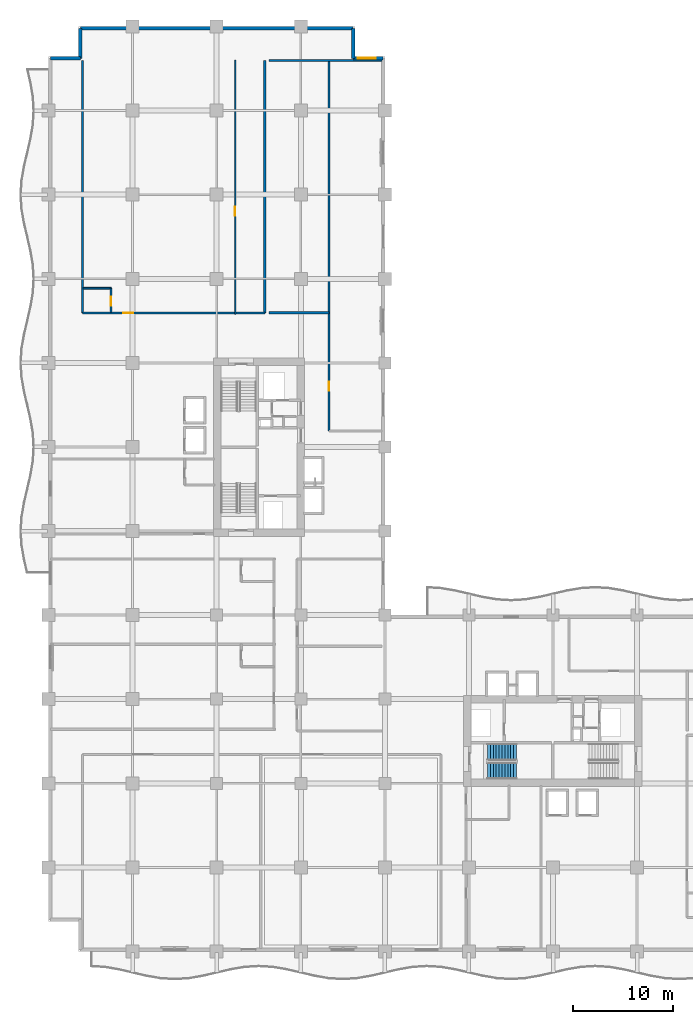
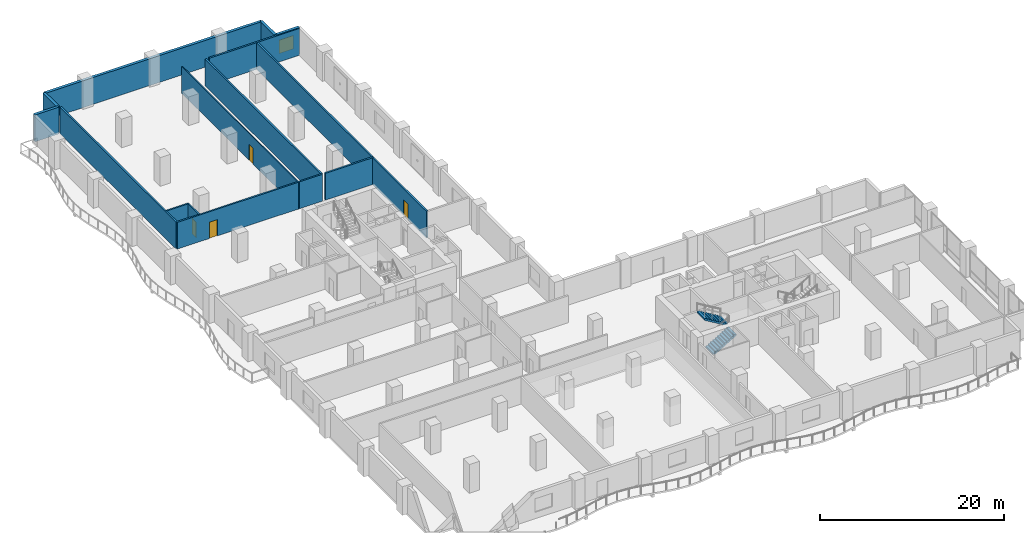
# One storey, part 16 of 23: 14 walls, 4 doors, 2 stair flights, 1 window, 5 openings, 1 element without a shape of its own.
"""IFC4 building model written with IfcOpenShell, lengths in metres."""

from ifc_helpers import new_model, si_unit, direction, frame, frame_2d, origin, place, context, subcontext, project, spatial, polyline, rectangle, outline, extrude, material, layer, layer_set, type_object, element, fill, aggregate, save


model = new_model("IFC4")

# Units and contexts
model_context = context("Model", 3, precision=1e-05, world=origin(), true_north=direction((0.0, 1.0)))
body_context = subcontext(model_context, "Body", "Model", "MODEL_VIEW")
ifc_project = project(units=[si_unit("LENGTHUNIT", "METRE"), si_unit("AREAUNIT", "SQUARE_METRE"), si_unit("VOLUMEUNIT", "CUBIC_METRE"), si_unit("PLANEANGLEUNIT", "RADIAN"), si_unit("MASSUNIT", "GRAM", prefix="KILO")], contexts=[model_context])

# Site, building, storey
site_placement = place(None, origin())
site = spatial("IfcSite", under=ifc_project, at=site_placement, CompositionType="ELEMENT")
building_placement = place(site_placement, origin())
building = spatial("IfcBuilding", under=site, at=building_placement, Name="Koriwani Terraces Tower", CompositionType="ELEMENT")
storey_placement = place(building_placement, frame((0.0, 0.0, 134.199951171875)))
storey = spatial("IfcBuildingStorey", under=building, at=storey_placement, Name="L32", CompositionType="ELEMENT", Elevation=134.199951171875)

# Wall, opening, door
ifc_material_1 = material(Name="Autoclaved Cellular Concrete Blockwork", Category="masonry")
ifc_layer_1 = layer(ifc_material_1, 0.199951171875, Name="Autoclaved Cellular Concrete Blockwork")
ifc_layer_set_1 = layer_set([ifc_layer_1], Name="Autoclaved Cellular Concrete Blockwork")
wall_type_1 = type_object("IfcWallType", Name="WALL_CORRIDOR_200", PredefinedType="PARTITIONING", material=ifc_layer_set_1)
wall_1_placement = place(storey_placement, frame((3.39990234375, 63.800048828125, 0.0), z_axis=(0.0, 0.0, 1.0), x_axis=(1.0, 0.0, 0.0)))
wall_1 = element("IfcWall", 1, at=wall_1_placement, inside=storey, type_object=wall_type_1, Name="L32 Interior Wall WGB-L32-NWTIP-S", PredefinedType="PARTITIONING", context=body_context, shape_type="SweptSolid", body=[
    extrude(rectangle(XDim=18.2001953125, YDim=0.199951171875, at=frame_2d((9.10009765625, 0.0))), origin(), (0.0, 0.0, 1.0), 3.550048828125),
])
opening_1_placement = place(wall_1_placement, frame((4.050048828125, 0.0, 0.0)))
opening_1 = element("IfcOpeningElement", 2, at=opening_1_placement, cuts=wall_1, Name="Opening D-05", PredefinedType="OPENING", context=body_context, shape_type="SweptSolid", body=[
    extrude(rectangle(XDim=1.0, YDim=2.14990234375, at=frame_2d((0.5, 1.074951171875))), frame((0.0, 0.10986328125, 0.0), z_axis=(0.0, -1.0, 0.0), x_axis=(1.0, 0.0, 0.0)), (0.0, 0.0, 1.0), 0.219970703125),
])
ifc_material_2 = material(Name="Architectural Oak Fire Door", Category="wood")
door_type_1 = type_object("IfcDoorType", Name="DOOR_SUITE_ENTRY_1000X2150", OperationType="NOTDEFINED", PredefinedType="DOOR", material=ifc_material_2)
door_1_placement = place(opening_1_placement, origin())
door_1 = element("IfcDoor", 3, at=door_1_placement, inside=storey, type_object=door_type_1, Name="Presidential Suite 32NT Entrance Door", OperationType="SINGLE_SWING_RIGHT", OverallHeight=2.14990234375, OverallWidth=1.0, PredefinedType="DOOR", context=body_context, shape_type="SweptSolid", body=[
    extrude(rectangle(XDim=1.0, YDim=2.14990234375, at=frame_2d((0.5, 1.074951171875))), frame((0.0, 0.02490234375, 0.0), z_axis=(0.0, -1.0, 0.0), x_axis=(1.0, 0.0, 0.0)), (0.0, 0.0, 1.0), 0.050048828125),
])
fill(opening_1, door_1)

wall_2_placement = place(storey_placement, frame((28.0, 52.0, 0.0), z_axis=(0.0, 0.0, 1.0), x_axis=(0.0, 1.0, 0.0)))
wall_2 = element("IfcWall", 4, at=wall_2_placement, inside=storey, type_object=wall_type_1, Name="L32 Interior Wall WNWT2-W-L32", PredefinedType="PARTITIONING", context=body_context, shape_type="SweptSolid", body=[
    extrude(rectangle(XDim=37.0, YDim=0.199951171875, at=frame_2d((18.5, 0.0))), origin(), (0.0, 0.0, 1.0), 3.550048828125),
])
opening_2_placement = place(wall_2_placement, frame((4.0, 0.0, 0.0)))
opening_2 = element("IfcOpeningElement", 5, at=opening_2_placement, cuts=wall_2, Name="Opening D-06", PredefinedType="OPENING", context=body_context, shape_type="SweptSolid", body=[
    extrude(rectangle(XDim=0.919921875, YDim=2.10009765625, at=frame_2d((0.4599609375, 1.050048828125))), frame((0.0, 0.10986328125, 0.0), z_axis=(0.0, -1.0, 0.0), x_axis=(1.0, 0.0, 0.0)), (0.0, 0.0, 1.0), 0.219970703125),
])
door_type_2 = type_object("IfcDoorType", Name="DOOR_ROOM_INT_920X2100", OperationType="NOTDEFINED", PredefinedType="DOOR", material=ifc_material_2)
door_2_placement = place(opening_2_placement, origin())
door_2 = element("IfcDoor", 6, at=door_2_placement, inside=storey, type_object=door_type_2, Name="L32 North Court Lounge Door", OperationType="SINGLE_SWING_LEFT", OverallHeight=2.10009765625, OverallWidth=0.919921875, PredefinedType="DOOR", context=body_context, shape_type="SweptSolid", body=[
    extrude(rectangle(XDim=0.919921875, YDim=2.10009765625, at=frame_2d((0.4599609375, 1.050048828125))), frame((0.0, 0.02490234375, 0.0), z_axis=(0.0, -1.0, 0.0), x_axis=(1.0, 0.0, 0.0)), (0.0, 0.0, 1.0), 0.050048828125),
])
fill(opening_2, door_2)

# Walls
ifc_layer_2 = layer(ifc_material_1, 0.219970703125, Name="Autoclaved Cellular Concrete Blockwork")
ifc_layer_set_2 = layer_set([ifc_layer_2], Name="Autoclaved Cellular Concrete Blockwork")
wall_type_2 = type_object("IfcWallType", Name="WALL_DEMISING_220", PredefinedType="PARTITIONING", material=ifc_layer_set_2)
for number, where, z_axis, x_axis, name in (
    (7, (21.60009765625, 63.800048828125, 0.0), (0.0, 0.0, 1.0), (0.0, 1.0, 0.0), "L32 Interior Wall WGB-L32-NWTIP-E"),
    (8, (3.39990234375, 63.800048828125, 0.0), (0.0, 0.0, 1.0), (0.0, 1.0, 0.0), "L32 Interior Wall WGB-L32-NWTIP-W"),
):
    element("IfcWall", number, at=place(storey_placement, frame(where, z_axis=z_axis, x_axis=x_axis)), inside=storey, type_object=wall_type_2, Name=name, PredefinedType="PARTITIONING", context=body_context, shape_type="SweptSolid", body=[
        extrude(rectangle(XDim=25.199951171875, YDim=0.219970703125, at=frame_2d((12.60009765625, 0.0))), origin(), (0.0, 0.0, 1.0), 3.550048828125),
    ])
wall_3_placement = place(storey_placement, frame((22.0, 89.0, 0.0), z_axis=(0.0, 0.0, 1.0), x_axis=(1.0, 0.0, 0.0)))
element("IfcWall", 9, at=wall_3_placement, inside=storey, type_object=wall_type_2, Name="L32 Interior Wall WNWT2-N-L32", PredefinedType="PARTITIONING", context=body_context, shape_type="SweptSolid", body=[
    extrude(rectangle(XDim=11.300048828125, YDim=0.219970703125, at=frame_2d((5.64990234375, 0.0))), origin(), (0.0, 0.0, 1.0), 3.550048828125),
])
wall_4_placement = place(storey_placement, frame((22.0, 63.800048828125, 0.0), z_axis=(0.0, 0.0, 1.0), x_axis=(1.0, 0.0, 0.0)))
element("IfcWall", 10, at=wall_4_placement, inside=storey, type_object=wall_type_2, Name="L32 Interior Wall WNWT2-WS-L32", PredefinedType="PARTITIONING", context=body_context, shape_type="SweptSolid", body=[
    extrude(rectangle(XDim=6.0, YDim=0.219970703125, at=frame_2d((3.0, 0.0))), origin(), (0.0, 0.0, 1.0), 3.550048828125),
])
ifc_material_3 = material(Name="Concrete C50/60", Category="concrete")
ifc_layer_3 = layer(ifc_material_3, 0.35009765625, Name="Concrete C50/60")
ifc_layer_set_3 = layer_set([ifc_layer_3], Name="Concrete C50/60")
wall_type_3 = type_object("IfcWallType", Name="WALL_EXT_BRUTALIST_350", PredefinedType="STANDARD", material=ifc_layer_set_3)
for number, where, z_axis, x_axis, name in (
    (11, (0.175048828125, 89.22509765625, 0.0), (0.0, 0.0, 1.0), (1.0, 0.0, 0.0), "L32 Fair-Faced Brutalist Exterior Wall (N3)"),
    (12, (3.175048828125, 89.22509765625, 0.0), (0.0, 0.0, 1.0), (0.0, 1.0, 0.0), "L32 Fair-Faced Brutalist Exterior Wall (N4)"),
):
    element("IfcWall", number, at=place(storey_placement, frame(where, z_axis=z_axis, x_axis=x_axis)), inside=storey, type_object=wall_type_3, Name=name, PredefinedType="STANDARD", context=body_context, shape_type="SweptSolid", body=[
        extrude(rectangle(XDim=3.0, YDim=0.35009765625, at=frame_2d((1.5, 0.0))), origin(), (0.0, 0.0, 1.0), 3.550048828125),
    ])
wall_5_placement = place(storey_placement, frame((3.175048828125, 92.22509765625, 0.0), z_axis=(0.0, 0.0, 1.0), x_axis=(1.0, 0.0, 0.0)))
element("IfcWall", 13, at=wall_5_placement, inside=storey, type_object=wall_type_3, Name="L32 Fair-Faced Brutalist Exterior Wall (N_TIP)", PredefinedType="STANDARD", context=body_context, shape_type="SweptSolid", body=[
    extrude(rectangle(XDim=27.25, YDim=0.35009765625, at=frame_2d((13.625, 0.0))), origin(), (0.0, 0.0, 1.0), 3.550048828125),
])
wall_6_placement = place(storey_placement, frame((30.425048828125, 92.22509765625, 0.0), z_axis=(0.0, 0.0, 1.0), x_axis=(0.0, -1.0, 0.0)))
element("IfcWall", 14, at=wall_6_placement, inside=storey, type_object=wall_type_3, Name="L32 Fair-Faced Brutalist Exterior Wall (N6)", PredefinedType="STANDARD", context=body_context, shape_type="SweptSolid", body=[
    extrude(rectangle(XDim=3.0, YDim=0.35009765625, at=frame_2d((1.5, 0.0))), origin(), (0.0, 0.0, 1.0), 3.550048828125),
])

# Wall, opening, window
wall_7_placement = place(storey_placement, frame((30.425048828125, 89.22509765625, 0.0), z_axis=(0.0, 0.0, 1.0), x_axis=(1.0, 0.0, 0.0)))
wall_7 = element("IfcWall", 15, at=wall_7_placement, inside=storey, type_object=wall_type_3, Name="L32 Fair-Faced Brutalist Exterior Wall (N7)", PredefinedType="STANDARD", context=body_context, shape_type="SweptSolid", body=[
    extrude(rectangle(XDim=3.0, YDim=0.35009765625, at=frame_2d((1.5, 0.0))), origin(), (0.0, 0.0, 1.0), 3.550048828125),
])
opening_3_placement = place(wall_7_placement, frame((0.487548828125, 0.0, 0.85009765625)))
opening_3 = element("IfcOpeningElement", 16, at=opening_3_placement, cuts=wall_7, Name="Opening W-04", PredefinedType="OPENING", context=body_context, shape_type="SweptSolid", body=[
    extrude(rectangle(XDim=1.800048828125, YDim=1.800048828125, at=frame_2d((0.89990234375, 0.89990234375))), frame((0.0, 0.18505859375, 0.0), z_axis=(0.0, -1.0, 0.0), x_axis=(1.0, 0.0, 0.0)), (0.0, 0.0, 1.0), 0.3701171875),
])
ifc_material_4 = material(Name="Tempered Laminated Low-E Glass", Category="glass")
window_type = type_object("IfcWindowType", Name="WIN_RES_BED_1800X1800", PartitioningType="DOUBLE_PANEL_VERTICAL", PredefinedType="WINDOW", material=ifc_material_4)
window_placement = place(opening_3_placement, origin())
window = element("IfcWindow", 17, at=window_placement, inside=storey, type_object=window_type, Name="L32 Exterior Window (N7-R41)", OverallHeight=1.800048828125, OverallWidth=1.800048828125, PartitioningType="SINGLE_PANEL", PredefinedType="WINDOW", context=body_context, shape_type="SweptSolid", body=[
    extrude(rectangle(XDim=1.800048828125, YDim=1.800048828125, at=frame_2d((0.89990234375, 0.89990234375))), frame((0.0, 0.030029296875, 0.0), z_axis=(0.0, -1.0, 0.0), x_axis=(1.0, 0.0, 0.0)), (0.0, 0.0, 1.0), 0.06005859375),
])
fill(opening_3, window)

# Wall, opening, door
ifc_material_5 = material(Name="Fire-Rated Acoustic Gypsum Partition", Category="masonry")
ifc_layer_4 = layer(ifc_material_5, 0.125, Name="Fire-Rated Acoustic Gypsum Partition")
ifc_layer_set_4 = layer_set([ifc_layer_4], Name="Fire-Rated Acoustic Gypsum Partition")
wall_type_4 = type_object("IfcWallType", Name="WALL_INT_125", PredefinedType="PARTITIONING", material=ifc_layer_set_4)
wall_8_placement = place(storey_placement, frame((18.64990234375, 63.64990234375, 0.0), z_axis=(0.0, 0.0, 1.0), x_axis=(0.0, 1.0, 0.0)))
wall_8 = element("IfcWall", 18, at=wall_8_placement, inside=storey, type_object=wall_type_4, Name="L32 Interior Wall WGB-L32-NWTIP-BD", PredefinedType="PARTITIONING", context=body_context, shape_type="SweptSolid", body=[
    extrude(rectangle(XDim=25.400146484375, YDim=0.125, at=frame_2d((12.7001953125, 0.0))), origin(), (0.0, 0.0, 1.0), 3.550048828125),
])
opening_4_placement = place(wall_8_placement, frame((9.840087890625, 0.0, 0.0)))
opening_4 = element("IfcOpeningElement", 19, at=opening_4_placement, cuts=wall_8, Name="Opening D-06", PredefinedType="OPENING", context=body_context, shape_type="SweptSolid", body=[
    extrude(rectangle(XDim=0.919921875, YDim=2.10009765625, at=frame_2d((0.4599609375, 1.050048828125))), frame((0.0, 0.072509765625, 0.0), z_axis=(0.0, -1.0, 0.0), x_axis=(1.0, 0.0, 0.0)), (0.0, 0.0, 1.0), 0.14501953125),
])
door_3_placement = place(opening_4_placement, origin())
door_3 = element("IfcDoor", 20, at=door_3_placement, inside=storey, type_object=door_type_2, Name="Presidential Suite 32NT Master Suite Door", OperationType="SINGLE_SWING_RIGHT", OverallHeight=2.10009765625, OverallWidth=0.919921875, PredefinedType="DOOR", context=body_context, shape_type="SweptSolid", body=[
    extrude(rectangle(XDim=0.919921875, YDim=2.10009765625, at=frame_2d((0.4599609375, 1.050048828125))), frame((0.0, 0.02490234375, 0.0), z_axis=(0.0, -1.0, 0.0), x_axis=(1.0, 0.0, 0.0)), (0.0, 0.0, 1.0), 0.050048828125),
])
fill(opening_4, door_3)

ifc_layer_5 = layer(ifc_material_5, 0.179931640625, Name="Fire-Rated Acoustic Gypsum Partition")
ifc_layer_set_5 = layer_set([ifc_layer_5], Name="Fire-Rated Acoustic Gypsum Partition")
wall_type_5 = type_object("IfcWallType", Name="WALL_PLUMBING_180", PredefinedType="PLUMBINGWALL", material=ifc_layer_set_5)
wall_9_placement = place(storey_placement, frame((6.25, 63.85009765625, 0.0), z_axis=(0.0, 0.0, 1.0), x_axis=(0.0, 1.0, 0.0)))
wall_9 = element("IfcWall", 21, at=wall_9_placement, inside=storey, type_object=wall_type_5, Name="L32 Interior Wall WGB-L32-NWTIP-SVB", PredefinedType="PLUMBINGWALL", context=body_context, shape_type="SweptSolid", body=[
    extrude(rectangle(XDim=2.39990234375, YDim=0.179931640625, at=frame_2d((1.199951171875, 0.0))), origin(), (0.0, 0.0, 1.0), 3.550048828125),
])
opening_5_placement = place(wall_9_placement, frame((0.64990234375, 0.0, 0.0)))
opening_5 = element("IfcOpeningElement", 22, at=opening_5_placement, cuts=wall_9, Name="Opening D-07", PredefinedType="OPENING", context=body_context, shape_type="SweptSolid", body=[
    extrude(rectangle(XDim=0.89990234375, YDim=2.10009765625, at=frame_2d((0.449951171875, 1.050048828125))), frame((0.0, 0.10009765625, 0.0), z_axis=(0.0, -1.0, 0.0), x_axis=(1.0, 0.0, 0.0)), (0.0, 0.0, 1.0), 0.199951171875),
])
door_type_3 = type_object("IfcDoorType", Name="DOOR_BATH_INT_900X2100", OperationType="NOTDEFINED", PredefinedType="DOOR", material=ifc_material_2)
door_4_placement = place(opening_5_placement, origin())
door_4 = element("IfcDoor", 23, at=door_4_placement, inside=storey, type_object=door_type_3, Name="Presidential Suite 32NT Bathroom Door", OperationType="SINGLE_SWING_LEFT", OverallHeight=2.10009765625, OverallWidth=0.89990234375, PredefinedType="DOOR", context=body_context, shape_type="SweptSolid", body=[
    extrude(rectangle(XDim=0.89990234375, YDim=2.10009765625, at=frame_2d((0.449951171875, 1.050048828125))), frame((0.0, 0.02490234375, 0.0), z_axis=(0.0, -1.0, 0.0), x_axis=(1.0, 0.0, 0.0)), (0.0, 0.0, 1.0), 0.050048828125),
])
fill(opening_5, door_4)

# Wall
wall_10_placement = place(storey_placement, frame((3.449951171875, 66.25, 0.0), z_axis=(0.0, 0.0, 1.0), x_axis=(1.0, 0.0, 0.0)))
element("IfcWall", 24, at=wall_10_placement, inside=storey, type_object=wall_type_5, Name="L32 Interior Wall WGB-L32-NWTIP-SV2", PredefinedType="PLUMBINGWALL", context=body_context, shape_type="SweptSolid", body=[
    extrude(rectangle(XDim=2.800048828125, YDim=0.179931640625, at=frame_2d((1.39990234375, 0.0))), origin(), (0.0, 0.0, 1.0), 3.550048828125),
])

# Stair, stair flights
ifc_material_6 = material(Name="Concrete C40/50", Category="concrete")
stair_type = type_object("IfcStairType", Name="STAIR_CORE_DOGLEG_1650", PredefinedType="TWO_STRAIGHT_RUN_STAIR", material=ifc_material_6)
stair_placement = place(storey_placement, origin())
stair = element("IfcStair", 25, at=stair_placement, inside=storey, type_object=stair_type, Name="L32 East Core Exit Stair 1", PredefinedType="HALF_TURN_STAIR")
stair_flight_type = type_object("IfcStairFlightType", Name="STAIR_FLIGHT_RC_1650", PredefinedType="STRAIGHT", material=ifc_material_6)
stair_flight_1_placement = place(storey_placement, frame((43.85009765625, 18.074951171875, 0.0), z_axis=(0.0, 0.0, 1.0), x_axis=(1.0, 0.0, 0.0)))
stair_flight_1 = element("IfcStairFlight", 26, at=stair_flight_1_placement, type_object=stair_flight_type, Name="ST-E1 flight 1", NumberOfRisers=11, NumberOfTreads=10, PredefinedType="STRAIGHT", RiserHeight=0.172727273, TreadLength=0.29, context=body_context, shape_type="SweptSolid", body=[
    extrude(outline(polyline([(0.0, 0.0), (0.0, 0.172607421875), (0.2900390625, 0.172607421875), (0.2900390625, 0.345458984375), (0.580078125, 0.345458984375), (0.580078125, 0.51806640625), (0.8701171875, 0.51806640625), (0.8701171875, 0.69091796875), (1.159912109375, 0.69091796875), (1.159912109375, 0.863525390625), (1.449951171875, 0.863525390625), (1.449951171875, 1.036376953125), (1.739990234375, 1.036376953125), (1.739990234375, 1.208984375), (2.030029296875, 1.208984375), (2.030029296875, 1.3818359375), (2.320068359375, 1.3818359375), (2.320068359375, 1.554443359375), (2.610107421875, 1.554443359375), (2.610107421875, 1.727294921875), (2.89990234375, 1.727294921875), (2.89990234375, 1.89990234375), (2.89990234375, 1.517822265625), (0.3515625, 0.0), (0.0, 0.0)])), frame((0.0, 0.824951171875, 0.0), z_axis=(0.0, -1.0, 0.0), x_axis=(1.0, 0.0, 0.0)), (0.0, 0.0, 1.0), 1.64990234375),
])
stair_flight_2_placement = place(storey_placement, frame((46.75, 19.925048828125, 1.900146484375), z_axis=(0.0, 0.0, 1.0), x_axis=(-1.0, 0.0, 0.0)))
stair_flight_2 = element("IfcStairFlight", 27, at=stair_flight_2_placement, type_object=stair_flight_type, Name="ST-E1 flight 2", NumberOfRisers=11, NumberOfTreads=10, PredefinedType="STRAIGHT", RiserHeight=0.172727273, TreadLength=0.29, context=body_context, shape_type="SweptSolid", body=[
    extrude(outline(polyline([(0.0, 0.0), (0.0, 0.172607421875), (0.2900390625, 0.172607421875), (0.2900390625, 0.345458984375), (0.580078125, 0.345458984375), (0.580078125, 0.51806640625), (0.8701171875, 0.51806640625), (0.8701171875, 0.69091796875), (1.159912109375, 0.69091796875), (1.159912109375, 0.863525390625), (1.449951171875, 0.863525390625), (1.449951171875, 1.036376953125), (1.739990234375, 1.036376953125), (1.739990234375, 1.208984375), (2.030029296875, 1.208984375), (2.030029296875, 1.3818359375), (2.320068359375, 1.3818359375), (2.320068359375, 1.554443359375), (2.610107421875, 1.554443359375), (2.610107421875, 1.727294921875), (2.89990234375, 1.727294921875), (2.89990234375, 1.89990234375), (2.89990234375, 1.517822265625), (0.3515625, 0.0), (0.0, 0.0)])), frame((0.0, 0.824951171875, 0.0), z_axis=(0.0, -1.0, 0.0), x_axis=(1.0, 0.0, 0.0)), (0.0, 0.0, 1.0), 1.64990234375),
])
aggregate(stair, [stair_flight_1, stair_flight_2])

save(model, "model.ifc")
